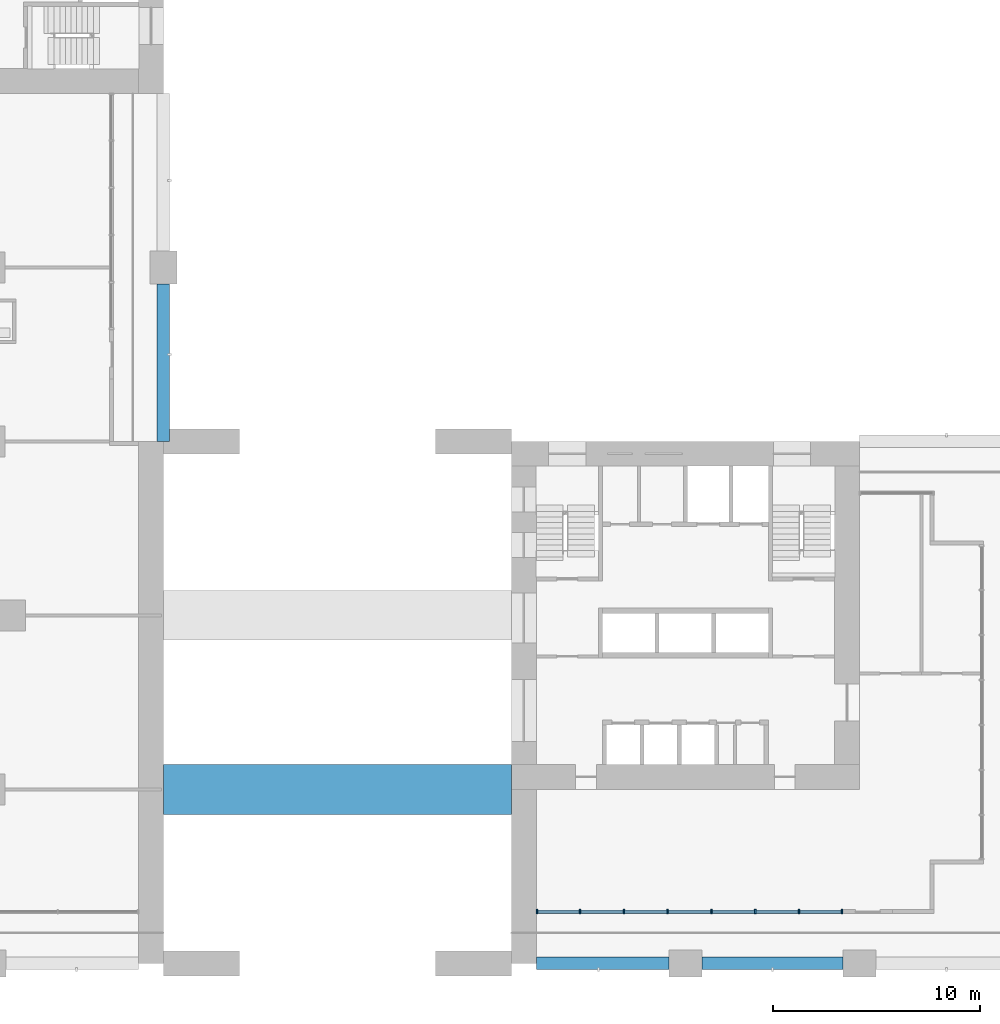
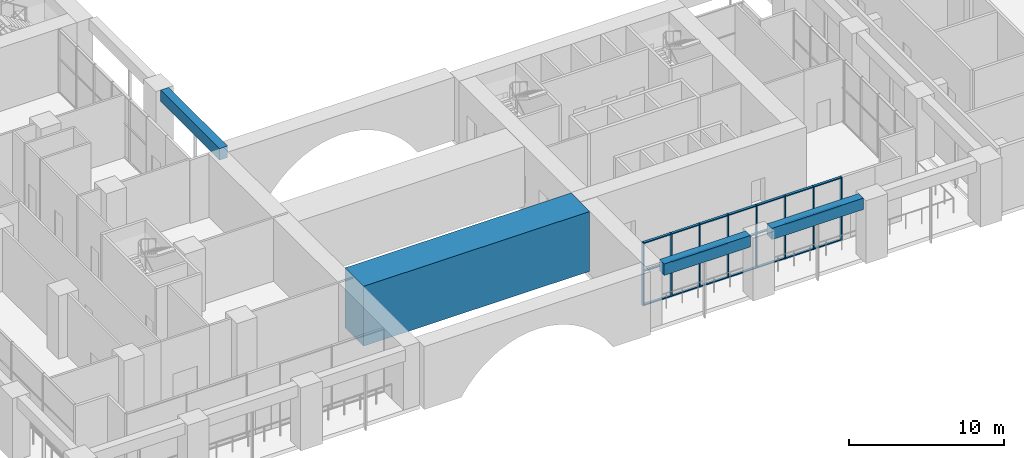
# One storey, part 3 of 26: 29 members, 4 beams, 1 element without a shape of its own.
"""IFC4 building model written with IfcOpenShell, lengths in metres."""

from ifc_helpers import new_model, si_unit, direction, frame, origin, origin_2d, place, context, subcontext, project, spatial, rectangle, extrude, material, material_profile, profile_set, type_object, element, aggregate, save


model = new_model("IFC4")

# Units and contexts
model_context = context("Model", 3, precision=1e-05, world=origin(), true_north=direction((0.0, 1.0)))
body_context = subcontext(model_context, "Body", "Model", "MODEL_VIEW")
ifc_project = project(units=[si_unit("LENGTHUNIT", "METRE"), si_unit("AREAUNIT", "SQUARE_METRE"), si_unit("VOLUMEUNIT", "CUBIC_METRE"), si_unit("PLANEANGLEUNIT", "RADIAN"), si_unit("MASSUNIT", "GRAM", prefix="KILO")], contexts=[model_context])

# Site, building, storey
site_placement = place(None, origin())
site = spatial("IfcSite", under=ifc_project, at=site_placement, CompositionType="ELEMENT")
building_placement = place(site_placement, origin())
building = spatial("IfcBuilding", under=site, at=building_placement, Name="Vermilion Gate Residences", CompositionType="ELEMENT")
storey_placement = place(building_placement, frame((0.0, 0.0, 9.0)))
storey = spatial("IfcBuildingStorey", under=building, at=storey_placement, Name="L01", CompositionType="ELEMENT", Elevation=9.0)

# Curtain wall, members
ifc_material_1 = material(Name="Aluminium and glass", Category="aluminium")
curtain_wall_type = type_object("IfcCurtainWallType", Name="LOBBY ENTRANCE GLAZING CURTAIN WALL", PredefinedType="NOTDEFINED", material=ifc_material_1)
curtain_wall_placement = place(storey_placement, origin())
curtain_wall = element("IfcCurtainWall", 1, at=curtain_wall_placement, inside=storey, type_object=curtain_wall_type, Name="Lobby Entrance Glazing 90", PredefinedType="NOTDEFINED")
ifc_material_2 = material(Name="Aluminium", Category="aluminium")
ifc_material_profile_1 = material_profile(ifc_material_2, rectangle(XDim=0.219970703125, YDim=0.080078125, at=origin_2d()), Name="MULLION 80 X 220")
ifc_profile_set_1 = profile_set([ifc_material_profile_1], Name="Aluminium")
member_type_1 = type_object("IfcMemberType", Name="LOBBY ENTRANCE GLAZING MULLION 80 X 220", PredefinedType="MULLION", material=ifc_profile_set_1)
member_1_placement = place(storey_placement, frame((43.239990234375, 2.5, 0.0), z_axis=(0.0, 0.0, 1.0), x_axis=(0.0, 1.0, 0.0)))
member_1 = element("IfcMember", 2, at=member_1_placement, type_object=member_type_1, Name="ECW5 mullion 1", PredefinedType="MULLION", context=body_context, shape_type="SweptSolid", body=[
    extrude(rectangle(XDim=0.219970703125, YDim=0.080078125, at=origin_2d()), origin(), (0.0, 0.0, 1.0), 4.949951171875),
])
member_2_placement = place(storey_placement, frame((45.314208984375, 2.5, 0.0), z_axis=(0.0, 0.0, 1.0), x_axis=(0.0, 1.0, 0.0)))
member_2 = element("IfcMember", 3, at=member_2_placement, type_object=member_type_1, Name="ECW5 mullion 2", PredefinedType="MULLION", context=body_context, shape_type="SweptSolid", body=[
    extrude(rectangle(XDim=0.219970703125, YDim=0.080078125, at=origin_2d()), origin(), (0.0, 0.0, 1.0), 4.949951171875),
])
member_3_placement = place(storey_placement, frame((47.428466796875, 2.5, 0.0), z_axis=(0.0, 0.0, 1.0), x_axis=(0.0, 1.0, 0.0)))
member_3 = element("IfcMember", 4, at=member_3_placement, type_object=member_type_1, Name="ECW5 mullion 3", PredefinedType="MULLION", context=body_context, shape_type="SweptSolid", body=[
    extrude(rectangle(XDim=0.219970703125, YDim=0.080078125, at=origin_2d()), origin(), (0.0, 0.0, 1.0), 4.949951171875),
])
member_4_placement = place(storey_placement, frame((49.54296875, 2.5, 0.0), z_axis=(0.0, 0.0, 1.0), x_axis=(0.0, 1.0, 0.0)))
member_4 = element("IfcMember", 5, at=member_4_placement, type_object=member_type_1, Name="ECW5 mullion 4", PredefinedType="MULLION", context=body_context, shape_type="SweptSolid", body=[
    extrude(rectangle(XDim=0.219970703125, YDim=0.080078125, at=origin_2d()), origin(), (0.0, 0.0, 1.0), 4.949951171875),
])
member_5_placement = place(storey_placement, frame((51.6572265625, 2.5, 0.0), z_axis=(0.0, 0.0, 1.0), x_axis=(0.0, 1.0, 0.0)))
member_5 = element("IfcMember", 6, at=member_5_placement, type_object=member_type_1, Name="ECW5 mullion 5", PredefinedType="MULLION", context=body_context, shape_type="SweptSolid", body=[
    extrude(rectangle(XDim=0.219970703125, YDim=0.080078125, at=origin_2d()), origin(), (0.0, 0.0, 1.0), 4.949951171875),
])
member_6_placement = place(storey_placement, frame((53.771484375, 2.5, 0.0), z_axis=(0.0, 0.0, 1.0), x_axis=(0.0, 1.0, 0.0)))
member_6 = element("IfcMember", 7, at=member_6_placement, type_object=member_type_1, Name="ECW5 mullion 6", PredefinedType="MULLION", context=body_context, shape_type="SweptSolid", body=[
    extrude(rectangle(XDim=0.219970703125, YDim=0.080078125, at=origin_2d()), origin(), (0.0, 0.0, 1.0), 4.949951171875),
])
member_7_placement = place(storey_placement, frame((55.8857421875, 2.5, 0.0), z_axis=(0.0, 0.0, 1.0), x_axis=(0.0, 1.0, 0.0)))
member_7 = element("IfcMember", 8, at=member_7_placement, type_object=member_type_1, Name="ECW5 mullion 7", PredefinedType="MULLION", context=body_context, shape_type="SweptSolid", body=[
    extrude(rectangle(XDim=0.219970703125, YDim=0.080078125, at=origin_2d()), origin(), (0.0, 0.0, 1.0), 4.949951171875),
])
member_8_placement = place(storey_placement, frame((57.9599609375, 2.5, 0.0), z_axis=(0.0, 0.0, 1.0), x_axis=(0.0, 1.0, 0.0)))
member_8 = element("IfcMember", 9, at=member_8_placement, type_object=member_type_1, Name="ECW5 mullion 8", PredefinedType="MULLION", context=body_context, shape_type="SweptSolid", body=[
    extrude(rectangle(XDim=0.219970703125, YDim=0.080078125, at=origin_2d()), origin(), (0.0, 0.0, 1.0), 4.949951171875),
])
ifc_material_3 = material(Name="Aluminium", Category="aluminium")
ifc_material_profile_2 = material_profile(ifc_material_3, rectangle(XDim=0.179931640625, YDim=0.080078125, at=origin_2d()), Name="TRANSOM 80 X 180")
ifc_profile_set_2 = profile_set([ifc_material_profile_2], Name="Aluminium")
member_type_2 = type_object("IfcMemberType", Name="LOBBY ENTRANCE GLAZING TRANSOM 80 X 180", PredefinedType="MULLION", material=ifc_profile_set_2)
member_9_placement = place(storey_placement, frame((43.280029296875, 2.5, 0.0400390625), z_axis=(1.0, 0.0, 0.0), x_axis=(0.0, 1.0, 0.0)))
member_9 = element("IfcMember", 10, at=member_9_placement, type_object=member_type_2, Name="ECW5 transom 1.1", PredefinedType="MULLION", context=body_context, shape_type="SweptSolid", body=[
    extrude(rectangle(XDim=0.179931640625, YDim=0.080078125, at=origin_2d()), origin(), (0.0, 0.0, 1.0), 1.994140625),
])
member_10_placement = place(storey_placement, frame((43.280029296875, 2.5, 2.699951171875), z_axis=(1.0, 0.0, 0.0), x_axis=(0.0, 1.0, 0.0)))
member_10 = element("IfcMember", 11, at=member_10_placement, type_object=member_type_2, Name="ECW5 transom 1.2", PredefinedType="MULLION", context=body_context, shape_type="SweptSolid", body=[
    extrude(rectangle(XDim=0.179931640625, YDim=0.080078125, at=origin_2d()), origin(), (0.0, 0.0, 1.0), 1.994140625),
])
member_11_placement = place(storey_placement, frame((43.280029296875, 2.5, 4.909912109375), z_axis=(1.0, 0.0, 0.0), x_axis=(0.0, 1.0, 0.0)))
member_11 = element("IfcMember", 12, at=member_11_placement, type_object=member_type_2, Name="ECW5 transom 1.3", PredefinedType="MULLION", context=body_context, shape_type="SweptSolid", body=[
    extrude(rectangle(XDim=0.179931640625, YDim=0.080078125, at=origin_2d()), origin(), (0.0, 0.0, 1.0), 1.994140625),
])
member_12_placement = place(storey_placement, frame((45.354248046875, 2.5, 0.0400390625), z_axis=(1.0, 0.0, 0.0), x_axis=(0.0, 1.0, 0.0)))
member_12 = element("IfcMember", 13, at=member_12_placement, type_object=member_type_2, Name="ECW5 transom 2.1", PredefinedType="MULLION", context=body_context, shape_type="SweptSolid", body=[
    extrude(rectangle(XDim=0.179931640625, YDim=0.080078125, at=origin_2d()), origin(), (0.0, 0.0, 1.0), 2.034423828125),
])
member_13_placement = place(storey_placement, frame((45.354248046875, 2.5, 2.699951171875), z_axis=(1.0, 0.0, 0.0), x_axis=(0.0, 1.0, 0.0)))
member_13 = element("IfcMember", 14, at=member_13_placement, type_object=member_type_2, Name="ECW5 transom 2.2", PredefinedType="MULLION", context=body_context, shape_type="SweptSolid", body=[
    extrude(rectangle(XDim=0.179931640625, YDim=0.080078125, at=origin_2d()), origin(), (0.0, 0.0, 1.0), 2.034423828125),
])
member_14_placement = place(storey_placement, frame((45.354248046875, 2.5, 4.909912109375), z_axis=(1.0, 0.0, 0.0), x_axis=(0.0, 1.0, 0.0)))
member_14 = element("IfcMember", 15, at=member_14_placement, type_object=member_type_2, Name="ECW5 transom 2.3", PredefinedType="MULLION", context=body_context, shape_type="SweptSolid", body=[
    extrude(rectangle(XDim=0.179931640625, YDim=0.080078125, at=origin_2d()), origin(), (0.0, 0.0, 1.0), 2.034423828125),
])
member_15_placement = place(storey_placement, frame((47.468505859375, 2.5, 0.0400390625), z_axis=(1.0, 0.0, 0.0), x_axis=(0.0, 1.0, 0.0)))
member_15 = element("IfcMember", 16, at=member_15_placement, type_object=member_type_2, Name="ECW5 transom 3.1", PredefinedType="MULLION", context=body_context, shape_type="SweptSolid", body=[
    extrude(rectangle(XDim=0.179931640625, YDim=0.080078125, at=origin_2d()), origin(), (0.0, 0.0, 1.0), 2.034423828125),
])
member_16_placement = place(storey_placement, frame((47.468505859375, 2.5, 2.699951171875), z_axis=(1.0, 0.0, 0.0), x_axis=(0.0, 1.0, 0.0)))
member_16 = element("IfcMember", 17, at=member_16_placement, type_object=member_type_2, Name="ECW5 transom 3.2", PredefinedType="MULLION", context=body_context, shape_type="SweptSolid", body=[
    extrude(rectangle(XDim=0.179931640625, YDim=0.080078125, at=origin_2d()), origin(), (0.0, 0.0, 1.0), 2.034423828125),
])
member_17_placement = place(storey_placement, frame((47.468505859375, 2.5, 4.909912109375), z_axis=(1.0, 0.0, 0.0), x_axis=(0.0, 1.0, 0.0)))
member_17 = element("IfcMember", 18, at=member_17_placement, type_object=member_type_2, Name="ECW5 transom 3.3", PredefinedType="MULLION", context=body_context, shape_type="SweptSolid", body=[
    extrude(rectangle(XDim=0.179931640625, YDim=0.080078125, at=origin_2d()), origin(), (0.0, 0.0, 1.0), 2.034423828125),
])
member_18_placement = place(storey_placement, frame((49.582763671875, 2.5, 0.0400390625), z_axis=(1.0, 0.0, 0.0), x_axis=(0.0, 1.0, 0.0)))
member_18 = element("IfcMember", 19, at=member_18_placement, type_object=member_type_2, Name="ECW5 transom 4.1", PredefinedType="MULLION", context=body_context, shape_type="SweptSolid", body=[
    extrude(rectangle(XDim=0.179931640625, YDim=0.080078125, at=origin_2d()), origin(), (0.0, 0.0, 1.0), 2.034423828125),
])
member_19_placement = place(storey_placement, frame((49.582763671875, 2.5, 2.699951171875), z_axis=(1.0, 0.0, 0.0), x_axis=(0.0, 1.0, 0.0)))
member_19 = element("IfcMember", 20, at=member_19_placement, type_object=member_type_2, Name="ECW5 transom 4.2", PredefinedType="MULLION", context=body_context, shape_type="SweptSolid", body=[
    extrude(rectangle(XDim=0.179931640625, YDim=0.080078125, at=origin_2d()), origin(), (0.0, 0.0, 1.0), 2.034423828125),
])
member_20_placement = place(storey_placement, frame((49.582763671875, 2.5, 4.909912109375), z_axis=(1.0, 0.0, 0.0), x_axis=(0.0, 1.0, 0.0)))
member_20 = element("IfcMember", 21, at=member_20_placement, type_object=member_type_2, Name="ECW5 transom 4.3", PredefinedType="MULLION", context=body_context, shape_type="SweptSolid", body=[
    extrude(rectangle(XDim=0.179931640625, YDim=0.080078125, at=origin_2d()), origin(), (0.0, 0.0, 1.0), 2.034423828125),
])
member_21_placement = place(storey_placement, frame((51.697021484375, 2.5, 0.0400390625), z_axis=(1.0, 0.0, 0.0), x_axis=(0.0, 1.0, 0.0)))
member_21 = element("IfcMember", 22, at=member_21_placement, type_object=member_type_2, Name="ECW5 transom 5.1", PredefinedType="MULLION", context=body_context, shape_type="SweptSolid", body=[
    extrude(rectangle(XDim=0.179931640625, YDim=0.080078125, at=origin_2d()), origin(), (0.0, 0.0, 1.0), 2.034423828125),
])
member_22_placement = place(storey_placement, frame((51.697021484375, 2.5, 2.699951171875), z_axis=(1.0, 0.0, 0.0), x_axis=(0.0, 1.0, 0.0)))
member_22 = element("IfcMember", 23, at=member_22_placement, type_object=member_type_2, Name="ECW5 transom 5.2", PredefinedType="MULLION", context=body_context, shape_type="SweptSolid", body=[
    extrude(rectangle(XDim=0.179931640625, YDim=0.080078125, at=origin_2d()), origin(), (0.0, 0.0, 1.0), 2.034423828125),
])
member_23_placement = place(storey_placement, frame((51.697021484375, 2.5, 4.909912109375), z_axis=(1.0, 0.0, 0.0), x_axis=(0.0, 1.0, 0.0)))
member_23 = element("IfcMember", 24, at=member_23_placement, type_object=member_type_2, Name="ECW5 transom 5.3", PredefinedType="MULLION", context=body_context, shape_type="SweptSolid", body=[
    extrude(rectangle(XDim=0.179931640625, YDim=0.080078125, at=origin_2d()), origin(), (0.0, 0.0, 1.0), 2.034423828125),
])
member_24_placement = place(storey_placement, frame((53.8115234375, 2.5, 0.0400390625), z_axis=(1.0, 0.0, 0.0), x_axis=(0.0, 1.0, 0.0)))
member_24 = element("IfcMember", 25, at=member_24_placement, type_object=member_type_2, Name="ECW5 transom 6.1", PredefinedType="MULLION", context=body_context, shape_type="SweptSolid", body=[
    extrude(rectangle(XDim=0.179931640625, YDim=0.080078125, at=origin_2d()), origin(), (0.0, 0.0, 1.0), 2.0341796875),
])
member_25_placement = place(storey_placement, frame((53.8115234375, 2.5, 2.699951171875), z_axis=(1.0, 0.0, 0.0), x_axis=(0.0, 1.0, 0.0)))
member_25 = element("IfcMember", 26, at=member_25_placement, type_object=member_type_2, Name="ECW5 transom 6.2", PredefinedType="MULLION", context=body_context, shape_type="SweptSolid", body=[
    extrude(rectangle(XDim=0.179931640625, YDim=0.080078125, at=origin_2d()), origin(), (0.0, 0.0, 1.0), 2.0341796875),
])
member_26_placement = place(storey_placement, frame((53.8115234375, 2.5, 4.909912109375), z_axis=(1.0, 0.0, 0.0), x_axis=(0.0, 1.0, 0.0)))
member_26 = element("IfcMember", 27, at=member_26_placement, type_object=member_type_2, Name="ECW5 transom 6.3", PredefinedType="MULLION", context=body_context, shape_type="SweptSolid", body=[
    extrude(rectangle(XDim=0.179931640625, YDim=0.080078125, at=origin_2d()), origin(), (0.0, 0.0, 1.0), 2.0341796875),
])
member_27_placement = place(storey_placement, frame((55.92578125, 2.5, 0.0400390625), z_axis=(1.0, 0.0, 0.0), x_axis=(0.0, 1.0, 0.0)))
member_27 = element("IfcMember", 28, at=member_27_placement, type_object=member_type_2, Name="ECW5 transom 7.1", PredefinedType="MULLION", context=body_context, shape_type="SweptSolid", body=[
    extrude(rectangle(XDim=0.179931640625, YDim=0.080078125, at=origin_2d()), origin(), (0.0, 0.0, 1.0), 1.994140625),
])
member_28_placement = place(storey_placement, frame((55.92578125, 2.5, 2.699951171875), z_axis=(1.0, 0.0, 0.0), x_axis=(0.0, 1.0, 0.0)))
member_28 = element("IfcMember", 29, at=member_28_placement, type_object=member_type_2, Name="ECW5 transom 7.2", PredefinedType="MULLION", context=body_context, shape_type="SweptSolid", body=[
    extrude(rectangle(XDim=0.179931640625, YDim=0.080078125, at=origin_2d()), origin(), (0.0, 0.0, 1.0), 1.994140625),
])
member_29_placement = place(storey_placement, frame((55.92578125, 2.5, 4.909912109375), z_axis=(1.0, 0.0, 0.0), x_axis=(0.0, 1.0, 0.0)))
member_29 = element("IfcMember", 30, at=member_29_placement, type_object=member_type_2, Name="ECW5 transom 7.3", PredefinedType="MULLION", context=body_context, shape_type="SweptSolid", body=[
    extrude(rectangle(XDim=0.179931640625, YDim=0.080078125, at=origin_2d()), origin(), (0.0, 0.0, 1.0), 1.994140625),
])
aggregate(curtain_wall, [member_1, member_2, member_3, member_4, member_5, member_6, member_7, member_8, member_9, member_10, member_11, member_12, member_13, member_14, member_15, member_16, member_17, member_18, member_19, member_20, member_21, member_22, member_23, member_24, member_25, member_26, member_27, member_28, member_29])

# Beams
ifc_material_4 = material(Name="Concrete C60 red-oxide pigmented", Category="concrete")
ifc_material_profile_3 = material_profile(ifc_material_4, rectangle(XDim=0.60009765625, YDim=0.89990234375, at=origin_2d()), Name="RC-600x900")
ifc_profile_set_3 = profile_set([ifc_material_profile_3], Name="Concrete C60 red-oxide pigmented")
beam_type_1 = type_object("IfcBeamType", Name="RC EDGE BEAM 600 X 900 C60", PredefinedType="BEAM", material=ifc_profile_set_3)
beam_1_placement = place(storey_placement, frame((25.199951171875, 25.199951171875, 4.5), z_axis=(0.0, 1.0, 0.0), x_axis=(-1.0, 0.0, 0.0)))
element("IfcBeam", 31, at=beam_1_placement, inside=storey, type_object=beam_type_1, Name="Edge beam L01 12", PredefinedType="BEAM", context=body_context, shape_type="SweptSolid", body=[
    extrude(rectangle(XDim=0.60009765625, YDim=0.89990234375, at=origin_2d()), origin(), (0.0, 0.0, 1.0), 7.60009765625),
])
beam_2_placement = place(storey_placement, frame((43.199951171875, 0.0, 4.5), z_axis=(1.0, 0.0, 0.0), x_axis=(0.0, 1.0, 0.0)))
element("IfcBeam", 32, at=beam_2_placement, inside=storey, type_object=beam_type_1, Name="Edge beam L01 14", PredefinedType="BEAM", context=body_context, shape_type="SweptSolid", body=[
    extrude(rectangle(XDim=0.60009765625, YDim=0.89990234375, at=origin_2d()), origin(), (0.0, 0.0, 1.0), 6.400146484375),
])
beam_3_placement = place(storey_placement, frame((51.199951171875, 0.0, 4.5), z_axis=(1.0, 0.0, 0.0), x_axis=(0.0, 1.0, 0.0)))
element("IfcBeam", 33, at=beam_3_placement, inside=storey, type_object=beam_type_1, Name="Edge beam L01 15", PredefinedType="BEAM", context=body_context, shape_type="SweptSolid", body=[
    extrude(rectangle(XDim=0.60009765625, YDim=0.89990234375, at=origin_2d()), origin(), (0.0, 0.0, 1.0), 6.800048828125),
])
ifc_material_5 = material(Name="Concrete C80", Category="concrete")
ifc_material_profile_4 = material_profile(ifc_material_5, rectangle(XDim=2.39990234375, YDim=4.699951171875, at=origin_2d()), Name="RC-2400x4700")
ifc_profile_set_4 = profile_set([ifc_material_profile_4], Name="Concrete C80")
beam_type_2 = type_object("IfcBeamType", Name="RC TRANSFER GIRDER 2400 X 4700 C80", PredefinedType="BEAM", material=ifc_profile_set_4)
beam_4_placement = place(storey_placement, frame((25.199951171875, 8.39990234375, 2.60009765625), z_axis=(1.0, 0.0, 0.0), x_axis=(0.0, 1.0, 0.0)))
element("IfcBeam", 34, at=beam_4_placement, inside=storey, type_object=beam_type_2, Name="Transfer girder L02 1", PredefinedType="BEAM", context=body_context, shape_type="SweptSolid", body=[
    extrude(rectangle(XDim=2.39990234375, YDim=4.699951171875, at=origin_2d()), origin(), (0.0, 0.0, 1.0), 16.800048828125),
])

save(model, "model.ifc")
